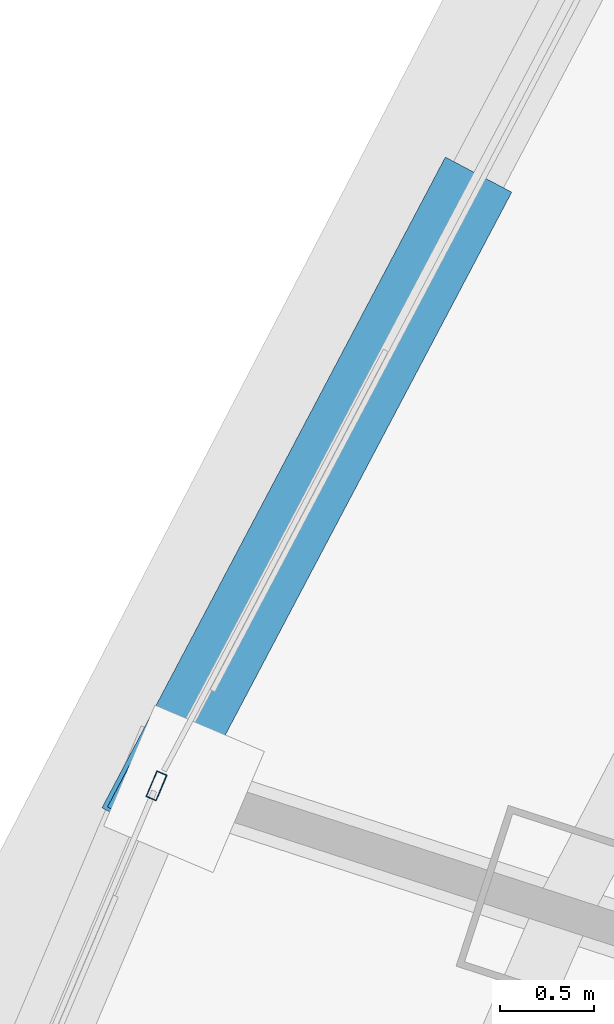
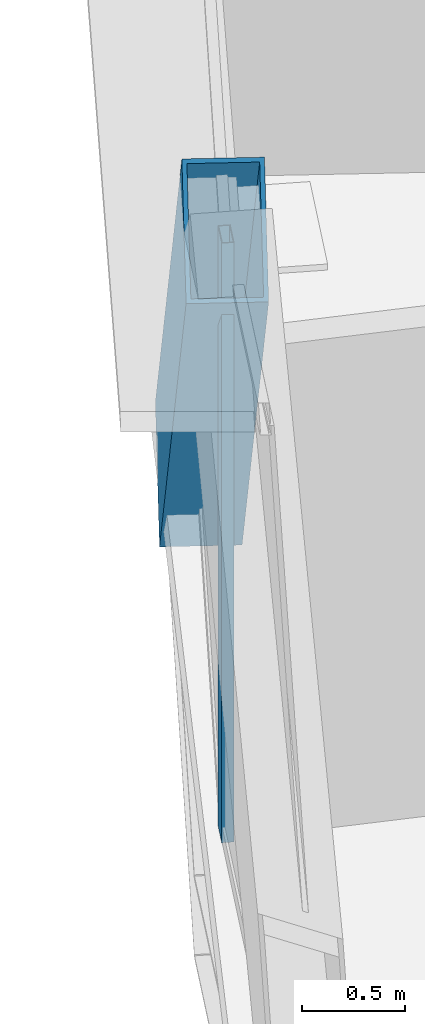
# One storey, part 8 of 40: 2 members, 1 element without a shape of its own.
"""IFC4 building model written with IfcOpenShell, lengths in metres."""

from ifc_helpers import new_model, si_unit, direction, frame, origin, origin_2d, place, context, subcontext, project, spatial, hollow_rectangle, extrude, source, transform, mapped, material, layer, layer_set, material_profile, profile_set, type_object, element, aggregate, save


model = new_model("IFC4")

# Units and contexts
model_context = context("Model", 3, precision=1e-05, world=origin(), true_north=direction((0.0, 1.0)))
body_context = subcontext(model_context, "Body", "Model", "MODEL_VIEW")
ifc_project = project(units=[si_unit("LENGTHUNIT", "METRE"), si_unit("AREAUNIT", "SQUARE_METRE"), si_unit("VOLUMEUNIT", "CUBIC_METRE"), si_unit("PLANEANGLEUNIT", "RADIAN"), si_unit("MASSUNIT", "GRAM", prefix="KILO"), si_unit("THERMODYNAMICTEMPERATUREUNIT", "KELVIN"), si_unit("POWERUNIT", "WATT")], contexts=[model_context])

# Site, building, storey
site_placement = place(None, origin())
site = spatial("IfcSite", under=ifc_project, at=site_placement, CompositionType="ELEMENT")
building_placement = place(site_placement, origin())
building = spatial("IfcBuilding", under=site, at=building_placement, Name="Yunzhuo Pagoda Commons", CompositionType="ELEMENT")
storey_placement = place(building_placement, frame((0.0, 0.0, 188.56005859375)))
storey = spatial("IfcBuildingStorey", under=building, at=storey_placement, Name="L47", CompositionType="ELEMENT", Elevation=188.56005859375)

# Member
ifc_material_1 = material(Name="Structural steel Q355B", Category="steel")
ifc_material_profile_1 = material_profile(ifc_material_1, hollow_rectangle(XDim=0.39990234375, YDim=0.719970703125, WallThickness=0.02392578125, at=origin_2d()), Name="Structural steel Q355B")
ifc_profile_set_1 = profile_set([ifc_material_profile_1], Name="Structural steel Q355B")
member_type_1 = type_object("IfcMemberType", Name="M-DL2 Brace BOX 720x400x24", PredefinedType="BRACE", material=ifc_profile_set_1)
shared_shape_1 = source(origin(), body_context, "Body", "SweptSolid", [
    extrude(hollow_rectangle(XDim=0.39990234375, YDim=0.719970703125, WallThickness=0.02392578125, at=origin_2d()), origin(), (0.0, 0.0, 1.0), 5.085205078125),
])
member_1_placement = place(storey_placement, frame((18.932373046875, 46.645751953125, -0.260009765625), z_axis=(-0.310146059551, -0.587693175691, 0.747279166705), x_axis=(0.884400492781, -0.466728795308, 0.0)))
element("IfcMember", 1, at=member_1_placement, inside=storey, type_object=member_type_1, Name="L47 facade diamond brace F3.2R", PredefinedType="BRACE", context=body_context, shape_type="MappedRepresentation", body=[
    mapped(shared_shape_1, transform((0.0, 0.0, 0.0), scale=1.0)),
])

# Curtain wall, member
ifc_material_2 = material(Name="Anodized aluminium 6063-T6", Category="aluminium")
ifc_layer = layer(ifc_material_2, 0.14990234375)
ifc_layer_set = layer_set([ifc_layer], Name="Anodized aluminium 6063-T6")
curtain_wall_type = type_object("IfcCurtainWallType", Name="CW-MID Mid-Zone Ribbon Curtain Wall", PredefinedType="NOTDEFINED", material=ifc_layer_set)
curtain_wall_placement = place(storey_placement, origin())
curtain_wall = element("IfcCurtainWall", 2, at=curtain_wall_placement, inside=storey, type_object=curtain_wall_type, Name="L47 curtain wall CW-L47-F3B4", PredefinedType="NOTDEFINED")
ifc_material_profile_2 = material_profile(ifc_material_2, hollow_rectangle(XDim=0.06005859375, YDim=0.14990234375, WallThickness=0.00390625, at=origin_2d()), Name="Anodized aluminium 6063-T6")
ifc_profile_set_2 = profile_set([ifc_material_profile_2], Name="Anodized aluminium 6063-T6")
member_type_2 = type_object("IfcMemberType", Name="CW-MID-M Mullion RHS 150x60x4", PredefinedType="MULLION", material=ifc_profile_set_2)
shared_shape_2 = source(origin(), body_context, "Body", "SweptSolid", [
    extrude(hollow_rectangle(XDim=0.06005859375, YDim=0.14990234375, WallThickness=0.00390625, at=origin_2d()), origin(), (0.0, 0.0, 1.0), 3.5400390625),
])
member_2_placement = place(storey_placement, frame((17.34326171875, 43.629638671875, 0.0), z_axis=(0.0, 0.0, 1.0), x_axis=(0.920515325194, -0.390706457693, 0.0)))
member_2 = element("IfcMember", 3, at=member_2_placement, type_object=member_type_2, Name="CW mullion 1", PredefinedType="MULLION", context=body_context, shape_type="MappedRepresentation", body=[
    mapped(shared_shape_2, transform((0.0, 0.0, 0.0), scale=1.0)),
])
aggregate(curtain_wall, [member_2])

save(model, "model.ifc")
